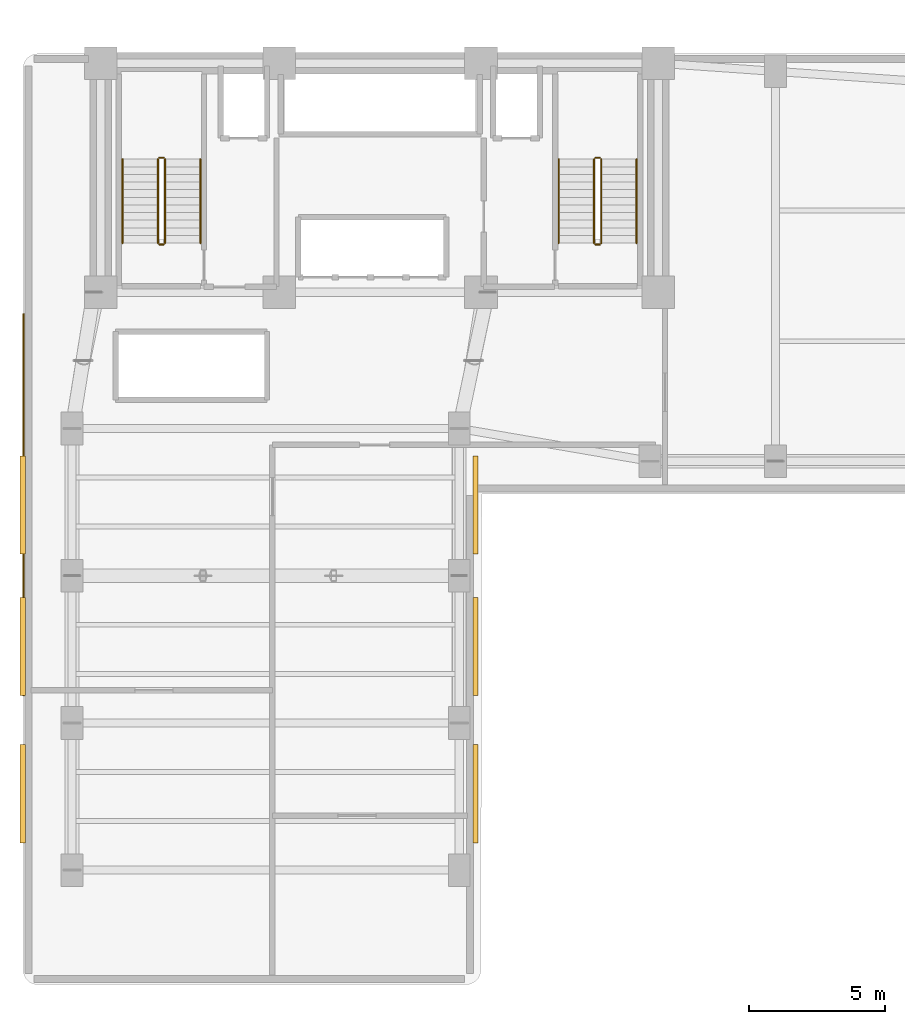
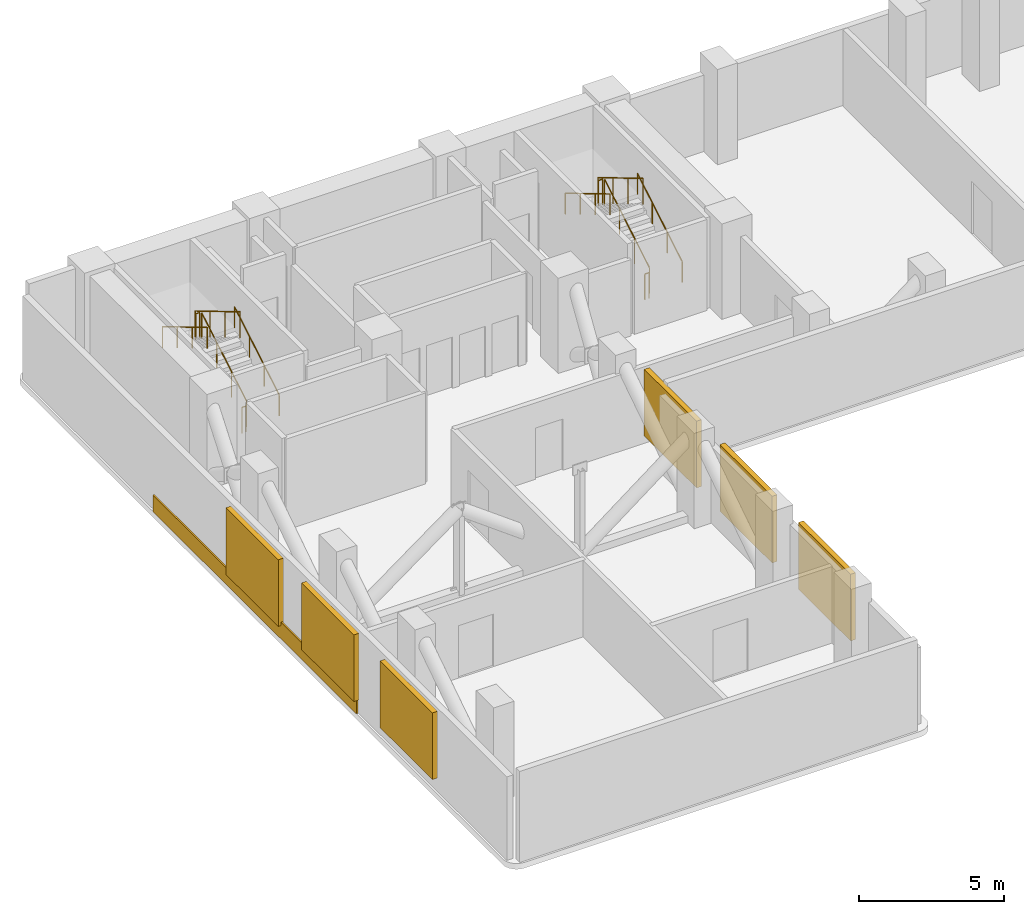
# One storey, part 8 of 9: 12 railings, 6 shading devices, 1 covering.
"""IFC4 building model written with IfcOpenShell, lengths in metres."""

from ifc_helpers import new_model, si_unit, direction, frame, origin, origin_2d, place, context, subcontext, project, spatial, rectangle, circle, extrude, material, layer, layer_set, type_object, element, save


model = new_model("IFC4")

# Units and contexts
model_context = context("Model", 3, precision=1e-05, world=origin(), true_north=direction((0.0, 1.0)))
body_context = subcontext(model_context, "Body", "Model", "MODEL_VIEW")
ifc_project = project(units=[si_unit("LENGTHUNIT", "METRE"), si_unit("AREAUNIT", "SQUARE_METRE"), si_unit("VOLUMEUNIT", "CUBIC_METRE"), si_unit("PLANEANGLEUNIT", "RADIAN"), si_unit("MASSUNIT", "GRAM", prefix="KILO")], contexts=[model_context])

# Site, building, storey
site_placement = place(None, origin())
site = spatial("IfcSite", under=ifc_project, at=site_placement, CompositionType="ELEMENT")
building_placement = place(site_placement, origin())
building = spatial("IfcBuilding", under=site, at=building_placement, Name="Kuzgunbayir Cultural Tower", CompositionType="ELEMENT")
storey_placement = place(building_placement, frame((0.0, 0.0, 79.39990234375)))
storey = spatial("IfcBuildingStorey", under=building, at=storey_placement, Name="L22", CompositionType="ELEMENT", Elevation=79.39990234375)

# Covering
ifc_material_1 = material(Name="Anatolian Cream Limestone", Category="masonry")
ifc_layer_1 = layer(ifc_material_1, 0.06005859375)
ifc_layer_set_1 = layer_set([ifc_layer_1], Name="Anatolian Cream Limestone")
covering_type = type_object("IfcCoveringType", Name="COV-CLAD-LIMESTONE-6", PredefinedType="CLADDING", material=ifc_layer_set_1)
covering_placement = place(storey_placement, frame((3.6201171875, 26.0, 0.0), z_axis=(0.0, 0.0, 1.0), x_axis=(1.0, 0.0, 0.0)))
element("IfcCovering", 1, at=covering_placement, inside=storey, type_object=covering_type, Name="L22 Architectural Spandrel Cladding Band", PredefinedType="CLADDING", context=body_context, shape_type="SweptSolid", body=[
    extrude(rectangle(XDim=0.06005859375, YDim=14.0, at=origin_2d()), origin(), (0.0, 0.0, 1.0), 0.699951171875),
])

# Railings
ifc_material_2 = material(Name="Brushed Stainless Steel", Category="steel")
ifc_layer_2 = layer(ifc_material_2, 0.050048828125)
ifc_layer_set_2 = layer_set([ifc_layer_2], Name="Brushed Stainless Steel")
railing_type_1 = type_object("IfcRailingType", Name="RLG-STAIR-HANDRAIL", PredefinedType="HANDRAIL", material=ifc_layer_set_2)
railing_1_placement = place(storey_placement, frame((10.110107421875, 35.60009765625, 0.166748046875)))
element("IfcRailing", 2, at=railing_1_placement, inside=storey, type_object=railing_type_1, Name="L22 ST-1 stair handrail 1", PredefinedType="HANDRAIL", context=body_context, shape_type="SweptSolid", body=[
    extrude(circle(Radius=0.02392578125, at=origin_2d()), frame((0.0, 0.0, 0.8759765625), z_axis=(0.0, 0.859290745958, 0.51148745235), x_axis=(-1.0, 0.0, 0.0)), (0.0, 0.0, 1.0), 3.584228515625),
    extrude(circle(Radius=0.02099609375, at=origin_2d()), origin(), (0.0, 0.0, 1.0), 0.851806640625),
    extrude(circle(Radius=0.02099609375, at=origin_2d()), frame((0.0, 1.026611328125, 0.611083984375)), (0.0, 0.0, 1.0), 0.851806640625),
    extrude(circle(Radius=0.02099609375, at=origin_2d()), frame((0.0, 2.05322265625, 1.22216796875)), (0.0, 0.0, 1.0), 0.851806640625),
    extrude(circle(Radius=0.02099609375, at=origin_2d()), frame((0.0, 3.079833984375, 1.833251953125)), (0.0, 0.0, 1.0), 0.851806640625),
])
railing_2_placement = place(storey_placement, frame((7.25, 38.679931640625, 2.166748046875)))
element("IfcRailing", 3, at=railing_2_placement, inside=storey, type_object=railing_type_1, Name="L22 ST-1 stair handrail 2", PredefinedType="HANDRAIL", context=body_context, shape_type="SweptSolid", body=[
    extrude(circle(Radius=0.02392578125, at=origin_2d()), frame((0.0, 0.0, 0.8759765625), z_axis=(0.0, -0.859290745958, 0.51148745235), x_axis=(1.0, 0.0, 0.0)), (0.0, 0.0, 1.0), 3.584228515625),
    extrude(circle(Radius=0.02099609375, at=origin_2d()), origin(), (0.0, 0.0, 1.0), 0.851806640625),
    extrude(circle(Radius=0.02099609375, at=origin_2d()), frame((0.0, -1.026611328125, 0.611083984375)), (0.0, 0.0, 1.0), 0.851806640625),
    extrude(circle(Radius=0.02099609375, at=origin_2d()), frame((0.0, -2.05322265625, 1.22216796875)), (0.0, 0.0, 1.0), 0.851806640625),
    extrude(circle(Radius=0.02099609375, at=origin_2d()), frame((0.0, -3.079833984375, 1.833251953125)), (0.0, 0.0, 1.0), 0.851806640625),
])
railing_3_placement = place(storey_placement, frame((26.110107421875, 35.60009765625, 0.166748046875)))
element("IfcRailing", 4, at=railing_3_placement, inside=storey, type_object=railing_type_1, Name="L22 ST-2 stair handrail 1", PredefinedType="HANDRAIL", context=body_context, shape_type="SweptSolid", body=[
    extrude(circle(Radius=0.02392578125, at=origin_2d()), frame((0.0, 0.0, 0.8759765625), z_axis=(0.0, 0.859290745958, 0.51148745235), x_axis=(-1.0, 0.0, 0.0)), (0.0, 0.0, 1.0), 3.584228515625),
    extrude(circle(Radius=0.02099609375, at=origin_2d()), origin(), (0.0, 0.0, 1.0), 0.851806640625),
    extrude(circle(Radius=0.02099609375, at=origin_2d()), frame((0.0, 1.026611328125, 0.611083984375)), (0.0, 0.0, 1.0), 0.851806640625),
    extrude(circle(Radius=0.02099609375, at=origin_2d()), frame((0.0, 2.05322265625, 1.22216796875)), (0.0, 0.0, 1.0), 0.851806640625),
    extrude(circle(Radius=0.02099609375, at=origin_2d()), frame((0.0, 3.079833984375, 1.833251953125)), (0.0, 0.0, 1.0), 0.851806640625),
])
railing_4_placement = place(storey_placement, frame((23.25, 38.679931640625, 2.166748046875)))
element("IfcRailing", 5, at=railing_4_placement, inside=storey, type_object=railing_type_1, Name="L22 ST-2 stair handrail 2", PredefinedType="HANDRAIL", context=body_context, shape_type="SweptSolid", body=[
    extrude(circle(Radius=0.02392578125, at=origin_2d()), frame((0.0, 0.0, 0.8759765625), z_axis=(0.0, -0.859290745958, 0.51148745235), x_axis=(1.0, 0.0, 0.0)), (0.0, 0.0, 1.0), 3.584228515625),
    extrude(circle(Radius=0.02099609375, at=origin_2d()), origin(), (0.0, 0.0, 1.0), 0.851806640625),
    extrude(circle(Radius=0.02099609375, at=origin_2d()), frame((0.0, -1.026611328125, 0.611083984375)), (0.0, 0.0, 1.0), 0.851806640625),
    extrude(circle(Radius=0.02099609375, at=origin_2d()), frame((0.0, -2.05322265625, 1.22216796875)), (0.0, 0.0, 1.0), 0.851806640625),
    extrude(circle(Radius=0.02099609375, at=origin_2d()), frame((0.0, -3.079833984375, 1.833251953125)), (0.0, 0.0, 1.0), 0.851806640625),
])
ifc_material_3 = material(Name="Painted Steel Balustrade", Category="steel")
ifc_layer_3 = layer(ifc_material_3, 0.06005859375)
ifc_layer_set_3 = layer_set([ifc_layer_3], Name="Painted Steel Balustrade")
railing_type_2 = type_object("IfcRailingType", Name="RLG-WELL-GUARD", PredefinedType="GUARDRAIL", material=ifc_layer_set_3)
railing_5_placement = place(storey_placement, frame((8.81005859375, 35.60009765625, 0.166748046875)))
element("IfcRailing", 6, at=railing_5_placement, inside=storey, type_object=railing_type_2, Name="L22 ST-1 stair guard 1", PredefinedType="GUARDRAIL", context=body_context, shape_type="SweptSolid", body=[
    extrude(circle(Radius=0.02392578125, at=origin_2d()), frame((0.0, 0.0, 1.076171875), z_axis=(0.0, 0.859290745958, 0.51148745235), x_axis=(-1.0, 0.0, 0.0)), (0.0, 0.0, 1.0), 3.584228515625),
    extrude(circle(Radius=0.02099609375, at=origin_2d()), origin(), (0.0, 0.0, 1.0), 1.052001953125),
    extrude(circle(Radius=0.02099609375, at=origin_2d()), frame((0.0, 1.026611328125, 0.611083984375)), (0.0, 0.0, 1.0), 1.052001953125),
    extrude(circle(Radius=0.02099609375, at=origin_2d()), frame((0.0, 2.05322265625, 1.22216796875)), (0.0, 0.0, 1.0), 1.052001953125),
    extrude(circle(Radius=0.02099609375, at=origin_2d()), frame((0.0, 3.079833984375, 1.833251953125)), (0.0, 0.0, 1.0), 1.052001953125),
])
railing_6_placement = place(storey_placement, frame((8.760009765625, 38.72998046875, 2.0)))
element("IfcRailing", 7, at=railing_6_placement, inside=storey, type_object=railing_type_2, Name="L22 ST-1 stair guard 2", PredefinedType="GUARDRAIL", context=body_context, shape_type="SweptSolid", body=[
    extrude(circle(Radius=0.02392578125, at=origin_2d()), frame((0.0, 0.0, 1.076171875), z_axis=(-1.0, 0.0, 0.0), x_axis=(0.0, -1.0, 0.0)), (0.0, 0.0, 1.0), 0.159912109375),
    extrude(circle(Radius=0.02099609375, at=origin_2d()), origin(), (0.0, 0.0, 1.0), 1.052001953125),
    extrude(circle(Radius=0.02099609375, at=origin_2d()), frame((-0.159912109375, 0.0, 0.0)), (0.0, 0.0, 1.0), 1.052001953125),
])
railing_7_placement = place(storey_placement, frame((8.550048828125, 38.679931640625, 2.166748046875)))
element("IfcRailing", 8, at=railing_7_placement, inside=storey, type_object=railing_type_2, Name="L22 ST-1 stair guard 3", PredefinedType="GUARDRAIL", context=body_context, shape_type="SweptSolid", body=[
    extrude(circle(Radius=0.02392578125, at=origin_2d()), frame((0.0, 0.0, 1.076171875), z_axis=(0.0, -0.859290745958, 0.51148745235), x_axis=(1.0, 0.0, 0.0)), (0.0, 0.0, 1.0), 3.584228515625),
    extrude(circle(Radius=0.02099609375, at=origin_2d()), origin(), (0.0, 0.0, 1.0), 1.052001953125),
    extrude(circle(Radius=0.02099609375, at=origin_2d()), frame((0.0, -1.026611328125, 0.611083984375)), (0.0, 0.0, 1.0), 1.052001953125),
    extrude(circle(Radius=0.02099609375, at=origin_2d()), frame((0.0, -2.05322265625, 1.22216796875)), (0.0, 0.0, 1.0), 1.052001953125),
    extrude(circle(Radius=0.02099609375, at=origin_2d()), frame((0.0, -3.079833984375, 1.833251953125)), (0.0, 0.0, 1.0), 1.052001953125),
])
railing_8_placement = place(storey_placement, frame((8.760009765625, 35.550048828125, 0.0)))
element("IfcRailing", 9, at=railing_8_placement, inside=storey, type_object=railing_type_2, Name="L22 ST-1 stair guard 4", PredefinedType="GUARDRAIL", context=body_context, shape_type="SweptSolid", body=[
    extrude(circle(Radius=0.02392578125, at=origin_2d()), frame((0.0, 0.0, 1.076171875), z_axis=(-1.0, 0.0, 0.0), x_axis=(0.0, -1.0, 0.0)), (0.0, 0.0, 1.0), 0.159912109375),
    extrude(circle(Radius=0.02099609375, at=origin_2d()), origin(), (0.0, 0.0, 1.0), 1.052001953125),
    extrude(circle(Radius=0.02099609375, at=origin_2d()), frame((-0.159912109375, 0.0, 0.0)), (0.0, 0.0, 1.0), 1.052001953125),
])
railing_9_placement = place(storey_placement, frame((24.81005859375, 35.60009765625, 0.166748046875)))
element("IfcRailing", 10, at=railing_9_placement, inside=storey, type_object=railing_type_2, Name="L22 ST-2 stair guard 1", PredefinedType="GUARDRAIL", context=body_context, shape_type="SweptSolid", body=[
    extrude(circle(Radius=0.02392578125, at=origin_2d()), frame((0.0, 0.0, 1.076171875), z_axis=(0.0, 0.859290745958, 0.51148745235), x_axis=(-1.0, 0.0, 0.0)), (0.0, 0.0, 1.0), 3.584228515625),
    extrude(circle(Radius=0.02099609375, at=origin_2d()), origin(), (0.0, 0.0, 1.0), 1.052001953125),
    extrude(circle(Radius=0.02099609375, at=origin_2d()), frame((0.0, 1.026611328125, 0.611083984375)), (0.0, 0.0, 1.0), 1.052001953125),
    extrude(circle(Radius=0.02099609375, at=origin_2d()), frame((0.0, 2.05322265625, 1.22216796875)), (0.0, 0.0, 1.0), 1.052001953125),
    extrude(circle(Radius=0.02099609375, at=origin_2d()), frame((0.0, 3.079833984375, 1.833251953125)), (0.0, 0.0, 1.0), 1.052001953125),
])
railing_10_placement = place(storey_placement, frame((24.760009765625, 38.72998046875, 2.0)))
element("IfcRailing", 11, at=railing_10_placement, inside=storey, type_object=railing_type_2, Name="L22 ST-2 stair guard 2", PredefinedType="GUARDRAIL", context=body_context, shape_type="SweptSolid", body=[
    extrude(circle(Radius=0.02392578125, at=origin_2d()), frame((0.0, 0.0, 1.076171875), z_axis=(-1.0, 0.0, 0.0), x_axis=(0.0, -1.0, 0.0)), (0.0, 0.0, 1.0), 0.159912109375),
    extrude(circle(Radius=0.02099609375, at=origin_2d()), origin(), (0.0, 0.0, 1.0), 1.052001953125),
    extrude(circle(Radius=0.02099609375, at=origin_2d()), frame((-0.159912109375, 0.0, 0.0)), (0.0, 0.0, 1.0), 1.052001953125),
])
railing_11_placement = place(storey_placement, frame((24.550048828125, 38.679931640625, 2.166748046875)))
element("IfcRailing", 12, at=railing_11_placement, inside=storey, type_object=railing_type_2, Name="L22 ST-2 stair guard 3", PredefinedType="GUARDRAIL", context=body_context, shape_type="SweptSolid", body=[
    extrude(circle(Radius=0.02392578125, at=origin_2d()), frame((0.0, 0.0, 1.076171875), z_axis=(0.0, -0.859290745958, 0.51148745235), x_axis=(1.0, 0.0, 0.0)), (0.0, 0.0, 1.0), 3.584228515625),
    extrude(circle(Radius=0.02099609375, at=origin_2d()), origin(), (0.0, 0.0, 1.0), 1.052001953125),
    extrude(circle(Radius=0.02099609375, at=origin_2d()), frame((0.0, -1.026611328125, 0.611083984375)), (0.0, 0.0, 1.0), 1.052001953125),
    extrude(circle(Radius=0.02099609375, at=origin_2d()), frame((0.0, -2.05322265625, 1.22216796875)), (0.0, 0.0, 1.0), 1.052001953125),
    extrude(circle(Radius=0.02099609375, at=origin_2d()), frame((0.0, -3.079833984375, 1.833251953125)), (0.0, 0.0, 1.0), 1.052001953125),
])
railing_12_placement = place(storey_placement, frame((24.760009765625, 35.550048828125, 0.0)))
element("IfcRailing", 13, at=railing_12_placement, inside=storey, type_object=railing_type_2, Name="L22 ST-2 stair guard 4", PredefinedType="GUARDRAIL", context=body_context, shape_type="SweptSolid", body=[
    extrude(circle(Radius=0.02392578125, at=origin_2d()), frame((0.0, 0.0, 1.076171875), z_axis=(-1.0, 0.0, 0.0), x_axis=(0.0, -1.0, 0.0)), (0.0, 0.0, 1.0), 0.159912109375),
    extrude(circle(Radius=0.02099609375, at=origin_2d()), origin(), (0.0, 0.0, 1.0), 1.052001953125),
    extrude(circle(Radius=0.02099609375, at=origin_2d()), frame((-0.159912109375, 0.0, 0.0)), (0.0, 0.0, 1.0), 1.052001953125),
])

# Shading devices
ifc_material_4 = material(Name="Acoustic Stormproof Aluminium Louvre", Category="aluminium")
shading_device_type = type_object("IfcShadingDeviceType", Name="SHD-PLANT-LOUVRE", PredefinedType="USERDEFINED", material=ifc_material_4)
for number, where, z_axis, x_axis, name in (
    (14, (3.590087890625, 15.39990234375, 0.55029296875), (0.0, 0.0, 1.0), (1.0, 0.0, 0.0), "L22 Refuge Acoustic Louvre W1"),
    (15, (20.199951171875, 15.39990234375, 0.55029296875), (0.0, 0.0, 1.0), (1.0, 0.0, 0.0), "L22 Refuge Acoustic Louvre E1"),
    (16, (3.590087890625, 20.800048828125, 0.55029296875), (0.0, 0.0, 1.0), (1.0, 0.0, 0.0), "L22 Refuge Acoustic Louvre W2"),
    (17, (20.199951171875, 20.800048828125, 0.55029296875), (0.0, 0.0, 1.0), (1.0, 0.0, 0.0), "L22 Refuge Acoustic Louvre E2"),
    (18, (3.590087890625, 26.0, 0.55029296875), (0.0, 0.0, 1.0), (1.0, 0.0, 0.0), "L22 Refuge Acoustic Louvre W3"),
    (19, (20.199951171875, 26.0, 0.55029296875), (0.0, 0.0, 1.0), (1.0, 0.0, 0.0), "L22 Refuge Acoustic Louvre E3"),
):
    element("IfcShadingDevice", number, at=place(storey_placement, frame(where, z_axis=z_axis, x_axis=x_axis)), inside=storey, type_object=shading_device_type, Name=name, ObjectType="LOUVRE", PredefinedType="USERDEFINED", context=body_context, shape_type="SweptSolid", body=[
        extrude(rectangle(XDim=0.199951171875, YDim=3.60009765625, at=origin_2d()), origin(), (0.0, 0.0, 1.0), 2.800048828125),
    ])

save(model, "model.ifc")
